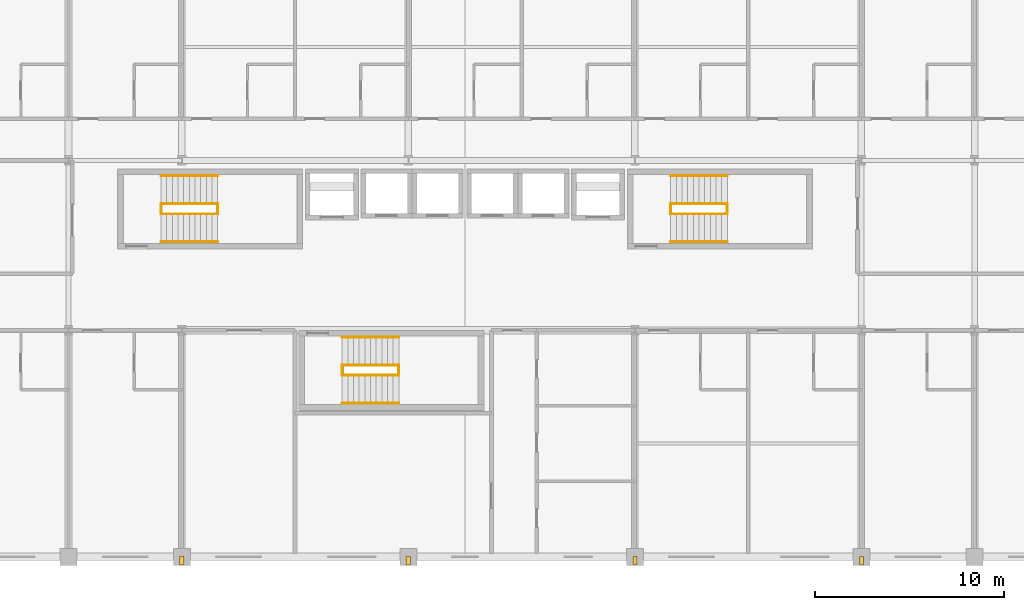
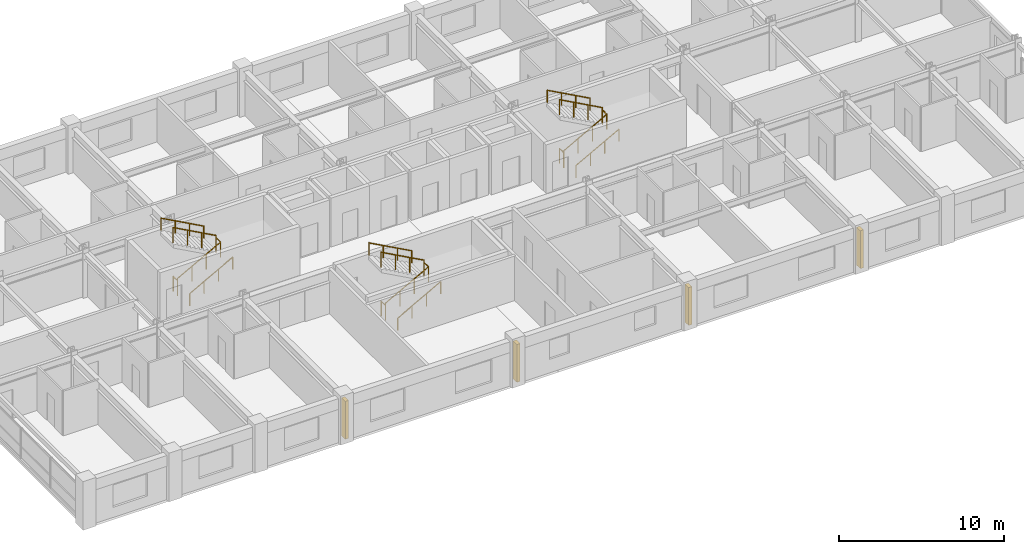
# One storey, part 22 of 22: 18 railings, 4 shading devices.
"""IFC4 building model written with IfcOpenShell, lengths in metres."""

from ifc_helpers import new_model, si_unit, direction, frame, origin, origin_2d, place, context, subcontext, project, spatial, rectangle, circle, extrude, material, type_object, element, save


model = new_model("IFC4")

# Units and contexts
model_context = context("Model", 3, precision=1e-05, world=origin(), true_north=direction((0.0, 1.0)))
body_context = subcontext(model_context, "Body", "Model", "MODEL_VIEW")
ifc_project = project(units=[si_unit("LENGTHUNIT", "METRE"), si_unit("AREAUNIT", "SQUARE_METRE"), si_unit("VOLUMEUNIT", "CUBIC_METRE"), si_unit("PLANEANGLEUNIT", "RADIAN"), si_unit("MASSUNIT", "GRAM", prefix="KILO")], contexts=[model_context])

# Site, building, storey
site_placement = place(None, origin())
site = spatial("IfcSite", under=ifc_project, at=site_placement, CompositionType="ELEMENT")
building_placement = place(site_placement, origin())
building = spatial("IfcBuilding", under=site, at=building_placement, Name="Kaldorvane Square Convention Centre", CompositionType="ELEMENT")
storey_placement = place(building_placement, frame((0.0, 0.0, 34.80000305175781)))
storey = spatial("IfcBuildingStorey", under=building, at=storey_placement, Name="L07", CompositionType="ELEMENT", Elevation=34.80000305175781)

# Railings
ifc_material_1 = material(Name="Architectural Painted Steel", Category="steel")
railing_type_1 = type_object("IfcRailingType", Name="RL-GUARD-1120", PredefinedType="BALUSTRADE", material=ifc_material_1)
for number, where, name in (
    (1, (40.899993896484375, 102.16999816894531, 0.0), "Tower Exit Stair T1 Floor Well Guard (L07)"),
    (2, (43.899993896484375, 102.16999816894531, 1.8000030517578125), "Tower Exit Stair T1 Half-Landing Guard (L07)"),
):
    element("IfcRailing", number, at=place(storey_placement, frame(where)), inside=storey, type_object=railing_type_1, Name=name, PredefinedType="BALUSTRADE", context=body_context, shape_type="SweptSolid", body=[
        extrude(circle(Radius=0.0240020751953125, at=origin_2d()), frame((0.0, 0.0, 1.0959930419921875), z_axis=(0.0, 1.0, 0.0), x_axis=(-1.0, 0.0, 0.0)), (0.0, 0.0, 1.0), 0.5200042724609375),
        extrude(circle(Radius=0.02099609375, at=origin_2d()), origin(), (0.0, 0.0, 1.0), 1.071990966796875),
        extrude(circle(Radius=0.02099609375, at=origin_2d()), frame((0.0, 0.5200042724609375, 0.0)), (0.0, 0.0, 1.0), 1.071990966796875),
    ])
railing_1_placement = place(storey_placement, frame((40.899993896484375, 102.16000366210938, 0.16363525390625)))
element("IfcRailing", 3, at=railing_1_placement, inside=storey, type_object=railing_type_1, Name="Tower Exit Stair T1 Flight 1 Guard (L07)", PredefinedType="BALUSTRADE", context=body_context, shape_type="SweptSolid", body=[
    extrude(circle(Radius=0.0240020751953125, at=origin_2d()), frame((0.0, 0.0, 1.0959930419921875), z_axis=(0.87789506098, 0.0, 0.478853069227), x_axis=(0.0, 1.0, 0.0)), (0.0, 0.0, 1.0), 3.417266845703125),
    extrude(circle(Radius=0.02099609375, at=origin_2d()), origin(), (0.0, 0.0, 1.0), 1.071990966796875),
    extrude(circle(Radius=0.02099609375, at=origin_2d()), frame((1.0, 0.0, 0.5454559326171875)), (0.0, 0.0, 1.0), 1.071990966796875),
    extrude(circle(Radius=0.02099609375, at=origin_2d()), frame((2.0, 0.0, 1.090911865234375)), (0.0, 0.0, 1.0), 1.071990966796875),
    extrude(circle(Radius=0.02099609375, at=origin_2d()), frame((3.0, 0.0, 1.6363677978515625)), (0.0, 0.0, 1.0), 1.071990966796875),
])
railing_2_placement = place(storey_placement, frame((43.899993896484375, 102.69999694824219, 1.9636383056640625)))
element("IfcRailing", 4, at=railing_2_placement, inside=storey, type_object=railing_type_1, Name="Tower Exit Stair T1 Flight 2 Guard (L07)", PredefinedType="BALUSTRADE", context=body_context, shape_type="SweptSolid", body=[
    extrude(circle(Radius=0.0240020751953125, at=origin_2d()), frame((0.0, 0.0, 1.0959930419921875), z_axis=(-0.877896938072, 0.0, 0.478849627883), x_axis=(0.0, -1.0, 0.0)), (0.0, 0.0, 1.0), 3.4172515869140625),
    extrude(circle(Radius=0.02099609375, at=origin_2d()), origin(), (0.0, 0.0, 1.0), 1.071990966796875),
    extrude(circle(Radius=0.02099609375, at=origin_2d()), frame((-1.0, 0.0, 0.5454559326171875)), (0.0, 0.0, 1.0), 1.071990966796875),
    extrude(circle(Radius=0.02099609375, at=origin_2d()), frame((-2.0, 0.0, 1.0908966064453125)), (0.0, 0.0, 1.0), 1.071990966796875),
    extrude(circle(Radius=0.02099609375, at=origin_2d()), frame((-3.0, 0.0, 1.6363525390625)), (0.0, 0.0, 1.0), 1.071990966796875),
])
for number, where, name in (
    (5, (67.89999389648438, 102.16999816894531, 0.0), "Tower Exit Stair T2 Floor Well Guard (L07)"),
    (6, (70.89999389648438, 102.16999816894531, 1.8000030517578125), "Tower Exit Stair T2 Half-Landing Guard (L07)"),
):
    element("IfcRailing", number, at=place(storey_placement, frame(where)), inside=storey, type_object=railing_type_1, Name=name, PredefinedType="BALUSTRADE", context=body_context, shape_type="SweptSolid", body=[
        extrude(circle(Radius=0.0240020751953125, at=origin_2d()), frame((0.0, 0.0, 1.0959930419921875), z_axis=(0.0, 1.0, 0.0), x_axis=(-1.0, 0.0, 0.0)), (0.0, 0.0, 1.0), 0.5200042724609375),
        extrude(circle(Radius=0.02099609375, at=origin_2d()), origin(), (0.0, 0.0, 1.0), 1.071990966796875),
        extrude(circle(Radius=0.02099609375, at=origin_2d()), frame((0.0, 0.5200042724609375, 0.0)), (0.0, 0.0, 1.0), 1.071990966796875),
    ])
railing_3_placement = place(storey_placement, frame((67.89999389648438, 102.16000366210938, 0.16363525390625)))
element("IfcRailing", 7, at=railing_3_placement, inside=storey, type_object=railing_type_1, Name="Tower Exit Stair T2 Flight 1 Guard (L07)", PredefinedType="BALUSTRADE", context=body_context, shape_type="SweptSolid", body=[
    extrude(circle(Radius=0.0240020751953125, at=origin_2d()), frame((0.0, 0.0, 1.0959930419921875), z_axis=(0.87789506098, 0.0, 0.478853069227), x_axis=(0.0, 1.0, 0.0)), (0.0, 0.0, 1.0), 3.417266845703125),
    extrude(circle(Radius=0.02099609375, at=origin_2d()), origin(), (0.0, 0.0, 1.0), 1.071990966796875),
    extrude(circle(Radius=0.02099609375, at=origin_2d()), frame((1.0, 0.0, 0.5454559326171875)), (0.0, 0.0, 1.0), 1.071990966796875),
    extrude(circle(Radius=0.02099609375, at=origin_2d()), frame((2.0, 0.0, 1.090911865234375)), (0.0, 0.0, 1.0), 1.071990966796875),
    extrude(circle(Radius=0.02099609375, at=origin_2d()), frame((3.0, 0.0, 1.6363677978515625)), (0.0, 0.0, 1.0), 1.071990966796875),
])
railing_4_placement = place(storey_placement, frame((70.89999389648438, 102.69999694824219, 1.9636383056640625)))
element("IfcRailing", 8, at=railing_4_placement, inside=storey, type_object=railing_type_1, Name="Tower Exit Stair T2 Flight 2 Guard (L07)", PredefinedType="BALUSTRADE", context=body_context, shape_type="SweptSolid", body=[
    extrude(circle(Radius=0.0240020751953125, at=origin_2d()), frame((0.0, 0.0, 1.0959930419921875), z_axis=(-0.877896938072, 0.0, 0.478849627883), x_axis=(0.0, -1.0, 0.0)), (0.0, 0.0, 1.0), 3.4172515869140625),
    extrude(circle(Radius=0.02099609375, at=origin_2d()), origin(), (0.0, 0.0, 1.0), 1.071990966796875),
    extrude(circle(Radius=0.02099609375, at=origin_2d()), frame((-1.0, 0.0, 0.5454559326171875)), (0.0, 0.0, 1.0), 1.071990966796875),
    extrude(circle(Radius=0.02099609375, at=origin_2d()), frame((-2.0, 0.0, 1.0908966064453125)), (0.0, 0.0, 1.0), 1.071990966796875),
    extrude(circle(Radius=0.02099609375, at=origin_2d()), frame((-3.0, 0.0, 1.6363525390625)), (0.0, 0.0, 1.0), 1.071990966796875),
])
for number, where, name in (
    (9, (50.5, 93.6199951171875, 0.0), "Tower Exit Stair T3 Floor Well Guard (L07)"),
    (10, (53.5, 93.6199951171875, 1.8000030517578125), "Tower Exit Stair T3 Half-Landing Guard (L07)"),
):
    element("IfcRailing", number, at=place(storey_placement, frame(where)), inside=storey, type_object=railing_type_1, Name=name, PredefinedType="BALUSTRADE", context=body_context, shape_type="SweptSolid", body=[
        extrude(circle(Radius=0.0240020751953125, at=origin_2d()), frame((0.0, 0.0, 1.0959930419921875), z_axis=(0.0, 1.0, 0.0), x_axis=(-1.0, 0.0, 0.0)), (0.0, 0.0, 1.0), 0.5200042724609375),
        extrude(circle(Radius=0.02099609375, at=origin_2d()), origin(), (0.0, 0.0, 1.0), 1.071990966796875),
        extrude(circle(Radius=0.02099609375, at=origin_2d()), frame((0.0, 0.5200042724609375, 0.0)), (0.0, 0.0, 1.0), 1.071990966796875),
    ])
railing_5_placement = place(storey_placement, frame((50.5, 93.61000061035156, 0.16363525390625)))
element("IfcRailing", 11, at=railing_5_placement, inside=storey, type_object=railing_type_1, Name="Tower Exit Stair T3 Flight 1 Guard (L07)", PredefinedType="BALUSTRADE", context=body_context, shape_type="SweptSolid", body=[
    extrude(circle(Radius=0.0240020751953125, at=origin_2d()), frame((0.0, 0.0, 1.0959930419921875), z_axis=(0.87789506098, 0.0, 0.478853069227), x_axis=(0.0, 1.0, 0.0)), (0.0, 0.0, 1.0), 3.417266845703125),
    extrude(circle(Radius=0.02099609375, at=origin_2d()), origin(), (0.0, 0.0, 1.0), 1.071990966796875),
    extrude(circle(Radius=0.02099609375, at=origin_2d()), frame((1.0, 0.0, 0.5454559326171875)), (0.0, 0.0, 1.0), 1.071990966796875),
    extrude(circle(Radius=0.02099609375, at=origin_2d()), frame((2.0, 0.0, 1.090911865234375)), (0.0, 0.0, 1.0), 1.071990966796875),
    extrude(circle(Radius=0.02099609375, at=origin_2d()), frame((3.0, 0.0, 1.6363677978515625)), (0.0, 0.0, 1.0), 1.071990966796875),
])
railing_6_placement = place(storey_placement, frame((53.5, 94.14999389648438, 1.9636383056640625)))
element("IfcRailing", 12, at=railing_6_placement, inside=storey, type_object=railing_type_1, Name="Tower Exit Stair T3 Flight 2 Guard (L07)", PredefinedType="BALUSTRADE", context=body_context, shape_type="SweptSolid", body=[
    extrude(circle(Radius=0.0240020751953125, at=origin_2d()), frame((0.0, 0.0, 1.0959930419921875), z_axis=(-0.877896938072, 0.0, 0.478849627883), x_axis=(0.0, -1.0, 0.0)), (0.0, 0.0, 1.0), 3.4172515869140625),
    extrude(circle(Radius=0.02099609375, at=origin_2d()), origin(), (0.0, 0.0, 1.0), 1.071990966796875),
    extrude(circle(Radius=0.02099609375, at=origin_2d()), frame((-1.0, 0.0, 0.5454559326171875)), (0.0, 0.0, 1.0), 1.071990966796875),
    extrude(circle(Radius=0.02099609375, at=origin_2d()), frame((-2.0, 0.0, 1.0908966064453125)), (0.0, 0.0, 1.0), 1.071990966796875),
    extrude(circle(Radius=0.02099609375, at=origin_2d()), frame((-3.0, 0.0, 1.6363525390625)), (0.0, 0.0, 1.0), 1.071990966796875),
])
railing_type_2 = type_object("IfcRailingType", Name="RL-HAND-915", PredefinedType="HANDRAIL", material=ifc_material_1)
railing_7_placement = place(storey_placement, frame((40.899993896484375, 100.67999267578125, 0.16363525390625)))
element("IfcRailing", 13, at=railing_7_placement, inside=storey, type_object=railing_type_2, Name="Tower Exit Stair T1 Wall Handrail 1 (L07)", PredefinedType="HANDRAIL", context=body_context, shape_type="SweptSolid", body=[
    extrude(circle(Radius=0.0240020751953125, at=origin_2d()), frame((0.0, 0.0, 0.8909912109375), z_axis=(0.87789506098, 0.0, 0.478853069227), x_axis=(0.0, 1.0, 0.0)), (0.0, 0.0, 1.0), 3.417266845703125),
    extrude(circle(Radius=0.02099609375, at=origin_2d()), origin(), (0.0, 0.0, 1.0), 0.8669891357421875),
    extrude(circle(Radius=0.02099609375, at=origin_2d()), frame((1.0, 0.0, 0.5454559326171875)), (0.0, 0.0, 1.0), 0.8669891357421875),
    extrude(circle(Radius=0.02099609375, at=origin_2d()), frame((2.0, 0.0, 1.090911865234375)), (0.0, 0.0, 1.0), 0.8669891357421875),
    extrude(circle(Radius=0.02099609375, at=origin_2d()), frame((3.0, 0.0, 1.6363677978515625)), (0.0, 0.0, 1.0), 0.8669891357421875),
])
railing_8_placement = place(storey_placement, frame((43.899993896484375, 104.17999267578125, 1.9636383056640625)))
element("IfcRailing", 14, at=railing_8_placement, inside=storey, type_object=railing_type_2, Name="Tower Exit Stair T1 Wall Handrail 2 (L07)", PredefinedType="HANDRAIL", context=body_context, shape_type="SweptSolid", body=[
    extrude(circle(Radius=0.0240020751953125, at=origin_2d()), frame((0.0, 0.0, 0.8909912109375), z_axis=(-0.877896938072, 0.0, 0.478849627883), x_axis=(0.0, -1.0, 0.0)), (0.0, 0.0, 1.0), 3.4172515869140625),
    extrude(circle(Radius=0.02099609375, at=origin_2d()), origin(), (0.0, 0.0, 1.0), 0.8669891357421875),
    extrude(circle(Radius=0.02099609375, at=origin_2d()), frame((-1.0, 0.0, 0.5454559326171875)), (0.0, 0.0, 1.0), 0.8669891357421875),
    extrude(circle(Radius=0.02099609375, at=origin_2d()), frame((-2.0, 0.0, 1.0908966064453125)), (0.0, 0.0, 1.0), 0.8669891357421875),
    extrude(circle(Radius=0.02099609375, at=origin_2d()), frame((-3.0, 0.0, 1.6363525390625)), (0.0, 0.0, 1.0), 0.8669891357421875),
])
railing_9_placement = place(storey_placement, frame((67.89999389648438, 100.67999267578125, 0.16363525390625)))
element("IfcRailing", 15, at=railing_9_placement, inside=storey, type_object=railing_type_2, Name="Tower Exit Stair T2 Wall Handrail 1 (L07)", PredefinedType="HANDRAIL", context=body_context, shape_type="SweptSolid", body=[
    extrude(circle(Radius=0.0240020751953125, at=origin_2d()), frame((0.0, 0.0, 0.8909912109375), z_axis=(0.87789506098, 0.0, 0.478853069227), x_axis=(0.0, 1.0, 0.0)), (0.0, 0.0, 1.0), 3.417266845703125),
    extrude(circle(Radius=0.02099609375, at=origin_2d()), origin(), (0.0, 0.0, 1.0), 0.8669891357421875),
    extrude(circle(Radius=0.02099609375, at=origin_2d()), frame((1.0, 0.0, 0.5454559326171875)), (0.0, 0.0, 1.0), 0.8669891357421875),
    extrude(circle(Radius=0.02099609375, at=origin_2d()), frame((2.0, 0.0, 1.090911865234375)), (0.0, 0.0, 1.0), 0.8669891357421875),
    extrude(circle(Radius=0.02099609375, at=origin_2d()), frame((3.0, 0.0, 1.6363677978515625)), (0.0, 0.0, 1.0), 0.8669891357421875),
])
railing_10_placement = place(storey_placement, frame((70.89999389648438, 104.17999267578125, 1.9636383056640625)))
element("IfcRailing", 16, at=railing_10_placement, inside=storey, type_object=railing_type_2, Name="Tower Exit Stair T2 Wall Handrail 2 (L07)", PredefinedType="HANDRAIL", context=body_context, shape_type="SweptSolid", body=[
    extrude(circle(Radius=0.0240020751953125, at=origin_2d()), frame((0.0, 0.0, 0.8909912109375), z_axis=(-0.877896938072, 0.0, 0.478849627883), x_axis=(0.0, -1.0, 0.0)), (0.0, 0.0, 1.0), 3.4172515869140625),
    extrude(circle(Radius=0.02099609375, at=origin_2d()), origin(), (0.0, 0.0, 1.0), 0.8669891357421875),
    extrude(circle(Radius=0.02099609375, at=origin_2d()), frame((-1.0, 0.0, 0.5454559326171875)), (0.0, 0.0, 1.0), 0.8669891357421875),
    extrude(circle(Radius=0.02099609375, at=origin_2d()), frame((-2.0, 0.0, 1.0908966064453125)), (0.0, 0.0, 1.0), 0.8669891357421875),
    extrude(circle(Radius=0.02099609375, at=origin_2d()), frame((-3.0, 0.0, 1.6363525390625)), (0.0, 0.0, 1.0), 0.8669891357421875),
])
railing_11_placement = place(storey_placement, frame((50.5, 92.1300048828125, 0.16363525390625)))
element("IfcRailing", 17, at=railing_11_placement, inside=storey, type_object=railing_type_2, Name="Tower Exit Stair T3 Wall Handrail 1 (L07)", PredefinedType="HANDRAIL", context=body_context, shape_type="SweptSolid", body=[
    extrude(circle(Radius=0.0240020751953125, at=origin_2d()), frame((0.0, 0.0, 0.8909912109375), z_axis=(0.87789506098, 0.0, 0.478853069227), x_axis=(0.0, 1.0, 0.0)), (0.0, 0.0, 1.0), 3.417266845703125),
    extrude(circle(Radius=0.02099609375, at=origin_2d()), origin(), (0.0, 0.0, 1.0), 0.8669891357421875),
    extrude(circle(Radius=0.02099609375, at=origin_2d()), frame((1.0, 0.0, 0.5454559326171875)), (0.0, 0.0, 1.0), 0.8669891357421875),
    extrude(circle(Radius=0.02099609375, at=origin_2d()), frame((2.0, 0.0, 1.090911865234375)), (0.0, 0.0, 1.0), 0.8669891357421875),
    extrude(circle(Radius=0.02099609375, at=origin_2d()), frame((3.0, 0.0, 1.6363677978515625)), (0.0, 0.0, 1.0), 0.8669891357421875),
])
railing_12_placement = place(storey_placement, frame((53.5, 95.6300048828125, 1.9636383056640625)))
element("IfcRailing", 18, at=railing_12_placement, inside=storey, type_object=railing_type_2, Name="Tower Exit Stair T3 Wall Handrail 2 (L07)", PredefinedType="HANDRAIL", context=body_context, shape_type="SweptSolid", body=[
    extrude(circle(Radius=0.0240020751953125, at=origin_2d()), frame((0.0, 0.0, 0.8909912109375), z_axis=(-0.877896938072, 0.0, 0.478849627883), x_axis=(0.0, -1.0, 0.0)), (0.0, 0.0, 1.0), 3.4172515869140625),
    extrude(circle(Radius=0.02099609375, at=origin_2d()), origin(), (0.0, 0.0, 1.0), 0.8669891357421875),
    extrude(circle(Radius=0.02099609375, at=origin_2d()), frame((-1.0, 0.0, 0.5454559326171875)), (0.0, 0.0, 1.0), 0.8669891357421875),
    extrude(circle(Radius=0.02099609375, at=origin_2d()), frame((-2.0, 0.0, 1.0908966064453125)), (0.0, 0.0, 1.0), 0.8669891357421875),
    extrude(circle(Radius=0.02099609375, at=origin_2d()), frame((-3.0, 0.0, 1.6363525390625)), (0.0, 0.0, 1.0), 0.8669891357421875),
])

# Shading devices
ifc_material_2 = material(Name="Concrete f'c = 42 MPa (Normalweight) Precast", Category="concrete")
shading_device_type = type_object("IfcShadingDeviceType", Name="SD-FIN-450", PredefinedType="USERDEFINED", material=ifc_material_2)
for number, where, z_axis, x_axis, name in (
    (19, (42.0, 83.79499816894531, 0.29998779296875), (0.0, 0.0, 1.0), (1.0, 0.0, 0.0), "Brutalist Precast Solar Fin (L07)"),
    (20, (54.0, 83.79499816894531, 0.29998779296875), (0.0, 0.0, 1.0), (1.0, 0.0, 0.0), "Brutalist Precast Solar Fin (L07)"),
    (21, (66.0, 83.79499816894531, 0.29998779296875), (0.0, 0.0, 1.0), (1.0, 0.0, 0.0), "Brutalist Precast Solar Fin (L07)"),
    (22, (78.0, 83.79499816894531, 0.29998779296875), (0.0, 0.0, 1.0), (1.0, 0.0, 0.0), "Brutalist Precast Solar Fin (L07)"),
):
    element("IfcShadingDevice", number, at=place(storey_placement, frame(where, z_axis=z_axis, x_axis=x_axis)), inside=storey, type_object=shading_device_type, Name=name, ObjectType="LOUVRE", PredefinedType="USERDEFINED", context=body_context, shape_type="SweptSolid", body=[
        extrude(rectangle(XDim=0.220001220703125, YDim=0.4499969482421875, at=origin_2d()), origin(), (0.0, 0.0, 1.0), 2.8000030517578125),
    ])

save(model, "model.ifc")
